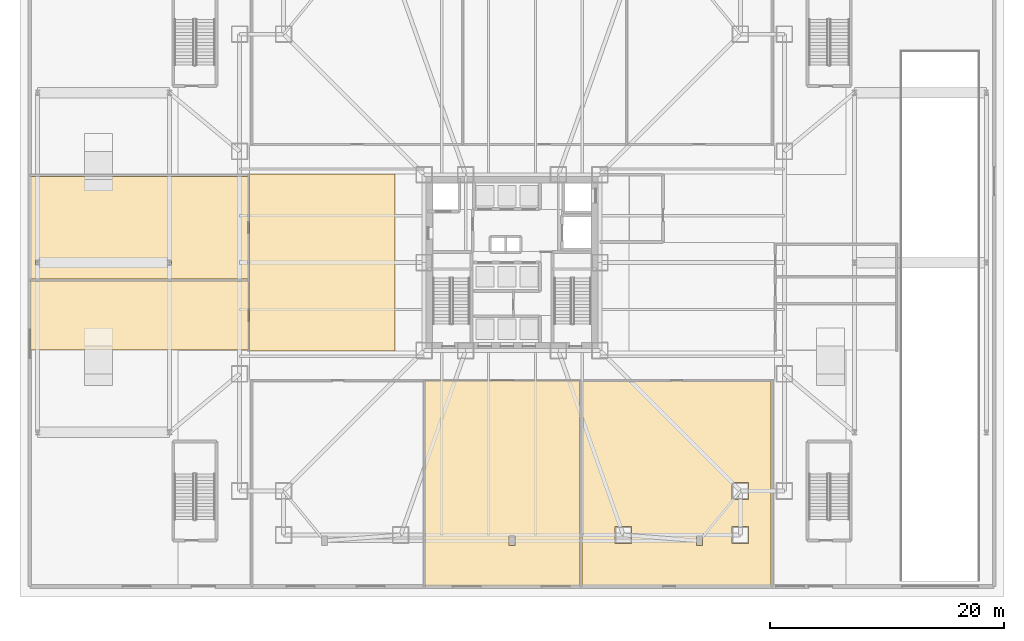
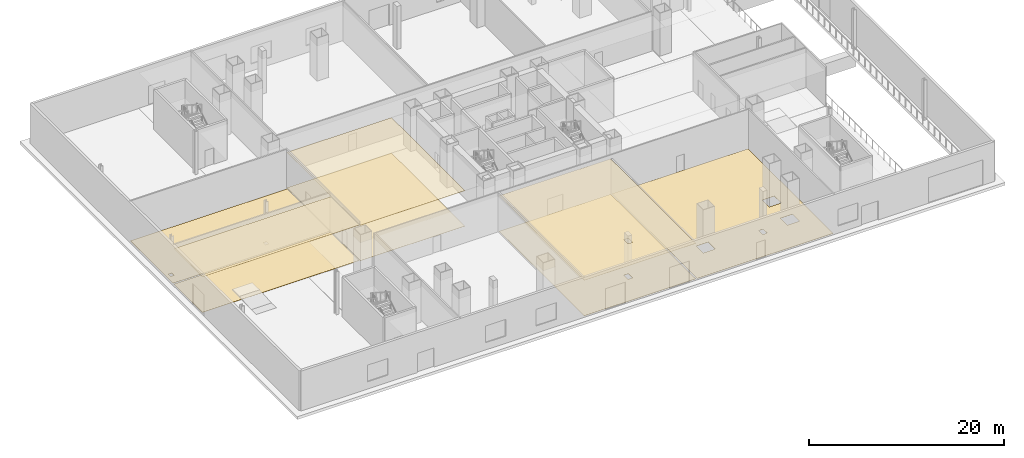
# One storey, part 14 of 24: 8 coverings.
"""IFC4 building model written with IfcOpenShell, lengths in metres."""

from ifc_helpers import new_model, si_unit, direction, frame, origin, place, context, subcontext, project, spatial, polyline, outline, extrude, material, layer, layer_set, type_object, element, save


model = new_model("IFC4")

# Units and contexts
model_context = context("Model", 3, precision=1e-05, world=origin(), true_north=direction((0.0, 1.0)))
body_context = subcontext(model_context, "Body", "Model", "MODEL_VIEW")
ifc_project = project(units=[si_unit("LENGTHUNIT", "METRE"), si_unit("AREAUNIT", "SQUARE_METRE"), si_unit("VOLUMEUNIT", "CUBIC_METRE"), si_unit("PLANEANGLEUNIT", "RADIAN"), si_unit("MASSUNIT", "GRAM", prefix="KILO")], contexts=[model_context])

# Site, building, storey
site_placement = place(None, origin())
site = spatial("IfcSite", under=ifc_project, at=site_placement, CompositionType="ELEMENT")
building_placement = place(site_placement, origin())
building = spatial("IfcBuilding", under=site, at=building_placement, Name="Trevonay Congress Spire", CompositionType="ELEMENT")
storey_placement = place(building_placement, origin())
storey = spatial("IfcBuildingStorey", under=building, at=storey_placement, Name="L00", CompositionType="ELEMENT", Elevation=0.0)

# Coverings
ifc_material_1 = material(Name="Acoustic Mineral Fibre Board", Category="gypsum")
ifc_layer_1 = layer(ifc_material_1, 0.02490234375, Name="Acoustic Mineral Fibre Board")
ifc_layer_set_1 = layer_set([ifc_layer_1], Name="Acoustic Mineral Fibre Board")
covering_type_1 = type_object("IfcCoveringType", Name="COV-CEIL-ACOUSTIC", PredefinedType="CEILING", material=ifc_layer_set_1)
covering_1_placement = place(storey_placement, frame((0.0, 0.0, 4.449951171875)))
element("IfcCovering", 1, at=covering_1_placement, inside=storey, type_object=covering_type_1, Name="L00 L00 West Concourse Foyer acoustic suspended ceiling", PredefinedType="CEILING", context=body_context, shape_type="SweptSolid", body=[
    extrude(outline(polyline([(-22.419921875, -7.550048828125), (-22.419921875, 7.550048828125), (-10.0, 7.550048828125), (-10.0, -7.550048828125), (-22.419921875, -7.550048828125)])), origin(), (0.0, 0.0, 1.0), 0.025146484375),
])
covering_2_placement = place(storey_placement, frame((0.0, 0.0, 4.449951171875)))
element("IfcCovering", 2, at=covering_2_placement, inside=storey, type_object=covering_type_1, Name="L00 Registration Concourse acoustic suspended ceiling", PredefinedType="CEILING", context=body_context, shape_type="SweptSolid", body=[
    extrude(outline(polyline([(-7.419921875, -10.080078125), (5.820068359375, -10.080078125), (5.820068359375, -27.60009765625), (-7.419921875, -27.60009765625), (-7.419921875, -10.080078125)]), holes=[polyline([(0.260009765625, -24.159912109375), (0.260009765625, -23.340087890625), (-0.260009765625, -23.340087890625), (-0.260009765625, -24.159912109375), (0.260009765625, -24.159912109375)])]), origin(), (0.0, 0.0, 1.0), 0.025146484375),
])
covering_3_placement = place(storey_placement, frame((0.0, 0.0, 4.449951171875)))
element("IfcCovering", 3, at=covering_3_placement, inside=storey, type_object=covering_type_1, Name="L00 West Harbour Cafe acoustic suspended ceiling", PredefinedType="CEILING", context=body_context, shape_type="SweptSolid", body=[
    extrude(outline(polyline([(-41.10009765625, -7.449951171875), (-22.47998046875, -7.449951171875), (-22.47998046875, -1.580078125), (-41.10009765625, -1.580078125), (-41.10009765625, -7.449951171875)])), origin(), (0.0, 0.0, 1.0), 0.025146484375),
])
ifc_material_2 = material(Name="Polished Granite Floor Tile", Category="masonry")
ifc_layer_2 = layer(ifc_material_2, 0.02001953125, Name="Polished Granite Floor Tile")
ifc_layer_set_2 = layer_set([ifc_layer_2], Name="Polished Granite Floor Tile")
covering_type_2 = type_object("IfcCoveringType", Name="COV-FLOOR-STONE", PredefinedType="FLOORING", material=ifc_layer_set_2)
covering_4_placement = place(storey_placement, origin())
element("IfcCovering", 4, at=covering_4_placement, inside=storey, type_object=covering_type_2, Name="L00 L00 West Concourse Foyer floor finish", PredefinedType="FLOORING", context=body_context, shape_type="SweptSolid", body=[
    extrude(outline(polyline([(-22.419921875, -7.550048828125), (-22.419921875, 7.550048828125), (-10.0, 7.550048828125), (-10.0, -7.550048828125), (-22.419921875, -7.550048828125)])), origin(), (0.0, 0.0, 1.0), 0.02001953125),
])
covering_5_placement = place(storey_placement, origin())
element("IfcCovering", 5, at=covering_5_placement, inside=storey, type_object=covering_type_2, Name="L00 Registration Concourse floor finish", PredefinedType="FLOORING", context=body_context, shape_type="SweptSolid", body=[
    extrude(outline(polyline([(-7.419921875, -10.080078125), (5.820068359375, -10.080078125), (5.820068359375, -27.60009765625), (-7.419921875, -27.60009765625), (-7.419921875, -10.080078125)]), holes=[polyline([(0.260009765625, -24.159912109375), (0.260009765625, -23.340087890625), (-0.260009765625, -23.340087890625), (-0.260009765625, -24.159912109375), (0.260009765625, -24.159912109375)])]), origin(), (0.0, 0.0, 1.0), 0.02001953125),
])
covering_6_placement = place(storey_placement, origin())
element("IfcCovering", 6, at=covering_6_placement, inside=storey, type_object=covering_type_2, Name="L00 Fire Command Centre floor finish", PredefinedType="FLOORING", context=body_context, shape_type="SweptSolid", body=[
    extrude(outline(polyline([(5.97998046875, -10.080078125), (22.1201171875, -10.080078125), (22.1201171875, -27.60009765625), (5.97998046875, -27.60009765625), (5.97998046875, -10.080078125)]), holes=[polyline([(15.739990234375, -23.340087890625), (15.739990234375, -24.159912109375), (16.260009765625, -24.159912109375), (16.260009765625, -23.340087890625), (15.739990234375, -23.340087890625)]), polyline([(8.7900390625, -22.5400390625), (8.7900390625, -23.9599609375), (10.2099609375, -23.9599609375), (10.2099609375, -22.5400390625), (8.7900390625, -22.5400390625)]), polyline([(18.7900390625, -22.5400390625), (18.7900390625, -23.9599609375), (20.2099609375, -23.9599609375), (20.2099609375, -22.5400390625), (18.7900390625, -22.5400390625)]), polyline([(18.7900390625, -18.7900390625), (18.7900390625, -20.2099609375), (20.2099609375, -20.2099609375), (20.2099609375, -18.7900390625), (18.7900390625, -18.7900390625)])]), origin(), (0.0, 0.0, 1.0), 0.02001953125),
])
covering_7_placement = place(storey_placement, origin())
element("IfcCovering", 7, at=covering_7_placement, inside=storey, type_object=covering_type_2, Name="L00 West Harbour Cafe floor finish", PredefinedType="FLOORING", context=body_context, shape_type="SweptSolid", body=[
    extrude(outline(polyline([(-41.10009765625, -7.449951171875), (-22.47998046875, -7.449951171875), (-22.47998046875, -1.580078125), (-41.10009765625, -1.580078125), (-41.10009765625, -7.449951171875)])), origin(), (0.0, 0.0, 1.0), 0.02001953125),
])
covering_8_placement = place(storey_placement, origin())
element("IfcCovering", 8, at=covering_8_placement, inside=storey, type_object=covering_type_2, Name="L00 Left-Luggage Cloakroom floor finish", PredefinedType="FLOORING", context=body_context, shape_type="SweptSolid", body=[
    extrude(outline(polyline([(-41.10009765625, 7.3701171875), (-22.47998046875, 7.3701171875), (-22.47998046875, -1.419921875), (-41.10009765625, -1.419921875), (-41.10009765625, 7.3701171875)]), holes=[polyline([(-40.68603515625, -0.21337890625), (-40.31396484375, -0.21337890625), (-40.31396484375, 0.21337890625), (-40.68603515625, 0.21337890625), (-40.68603515625, -0.21337890625)]), polyline([(-29.444091796875, -0.222412109375), (-29.055908203125, -0.222412109375), (-29.055908203125, 0.222412109375), (-29.444091796875, 0.222412109375), (-29.444091796875, -0.222412109375)])]), origin(), (0.0, 0.0, 1.0), 0.02001953125),
])

save(model, "model.ifc")
